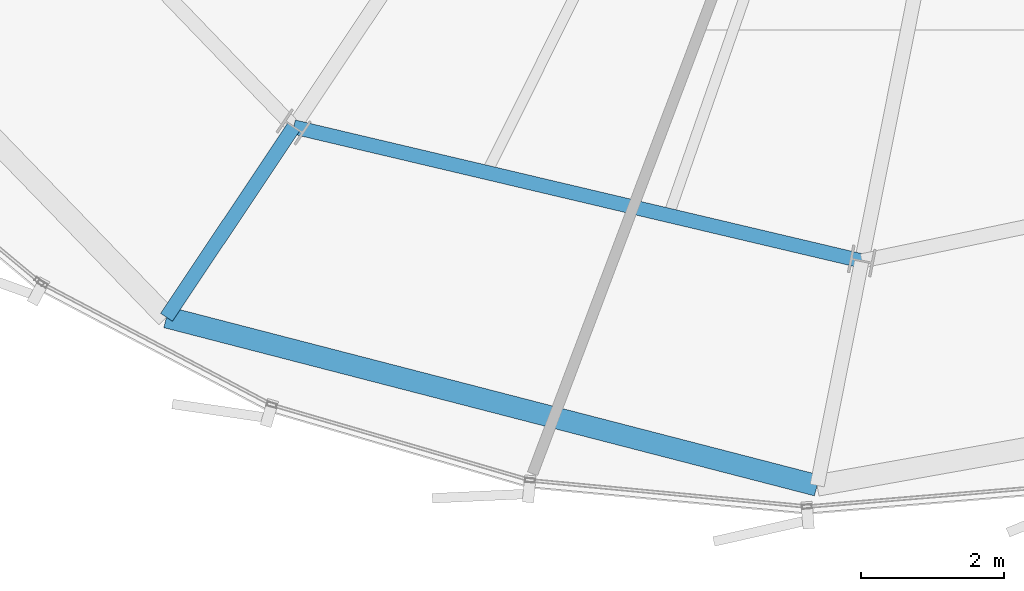
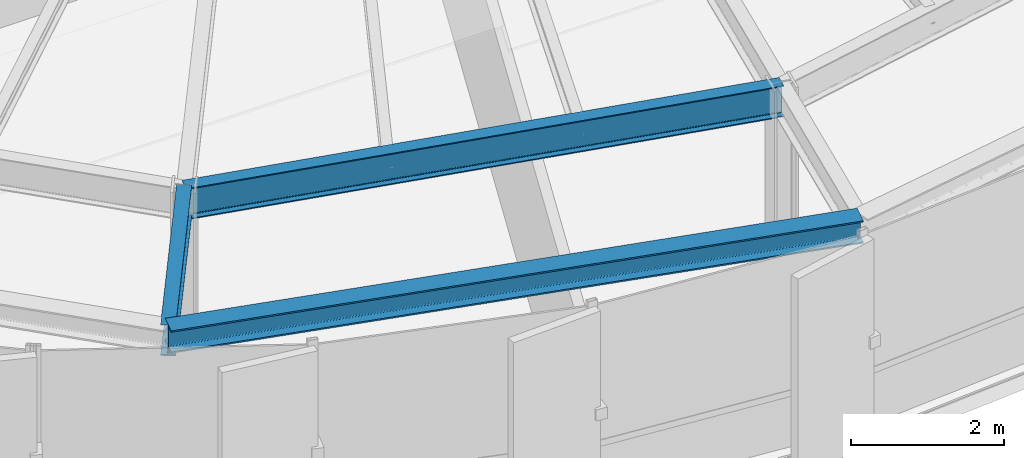
# One storey, part 3 of 33: 3 beams.
"""IFC4 building model written with IfcOpenShell, lengths in metres."""

from ifc_helpers import new_model, si_unit, direction, frame, origin, origin_2d, place, context, subcontext, project, spatial, i_section, extrude, source, transform, mapped, material, material_profile, profile_set, type_object, element, save


model = new_model("IFC4")

# Units and contexts
model_context = context("Model", 3, precision=1e-05, world=origin(), true_north=direction((0.0, 1.0)))
body_context = subcontext(model_context, "Body", "Model", "MODEL_VIEW")
ifc_project = project(units=[si_unit("LENGTHUNIT", "METRE"), si_unit("AREAUNIT", "SQUARE_METRE"), si_unit("VOLUMEUNIT", "CUBIC_METRE"), si_unit("PLANEANGLEUNIT", "RADIAN"), si_unit("MASSUNIT", "GRAM", prefix="KILO"), si_unit("THERMODYNAMICTEMPERATUREUNIT", "KELVIN")], contexts=[model_context])

# Site, building, storey
site_placement = place(None, origin())
site = spatial("IfcSite", under=ifc_project, at=site_placement, CompositionType="ELEMENT")
building_placement = place(site_placement, origin())
building = spatial("IfcBuilding", under=site, at=building_placement, Name="Kethvar Cultural Tower", CompositionType="ELEMENT")
storey_placement = place(building_placement, frame((0.0, 0.0, 211.39990234375)))
storey = spatial("IfcBuildingStorey", under=building, at=storey_placement, Name="L55", CompositionType="ELEMENT", Elevation=211.39990234375)

# Beams
ifc_material = material(Name="Steel S355J2", Category="steel")
ifc_material_profile_1 = material_profile(ifc_material, i_section(OverallWidth=0.199951171875, OverallDepth=0.5, WebThickness=0.01025390625, FlangeThickness=0.01611328125, FilletRadius=0.02099609375, at=origin_2d()), Name="Steel S355J2 — IPE500")
ifc_profile_set_1 = profile_set([ifc_material_profile_1], Name="Steel S355J2 — IPE500")
beam_type_1 = type_object("IfcBeamType", Name="BM-IPE500", PredefinedType="BEAM", material=ifc_profile_set_1)
shared_shape_1 = source(origin(), body_context, "Body", "SweptSolid", [
    extrude(i_section(OverallWidth=0.199951171875, OverallDepth=0.5, WebThickness=0.01025390625, FlangeThickness=0.01611328125, FilletRadius=0.02099609375, at=origin_2d()), origin(), (0.0, 0.0, 1.0), 3.199951171875),
])
beam_1_placement = place(storey_placement, frame((34.962646484375, 10.084228515625, 3.008056640625), z_axis=(-0.555580212716, -0.831462943996, 0.0), x_axis=(0.831462943996, -0.555580212716, 0.0)))
element("IfcBeam", 1, at=beam_1_placement, inside=storey, type_object=beam_type_1, Name="L55 Perimeter Cantilever Beam RC-11", PredefinedType="BEAM", context=body_context, shape_type="MappedRepresentation", body=[
    mapped(shared_shape_1, transform((0.0, 0.0, 0.0), scale=1.0)),
])
shared_shape_2 = source(origin(), body_context, "Body", "SweptSolid", [
    extrude(i_section(OverallWidth=0.199951171875, OverallDepth=0.5, WebThickness=0.01025390625, FlangeThickness=0.01611328125, FilletRadius=0.02099609375, at=origin_2d()), origin(), (0.0, 0.0, 1.0), 8.158935546875),
])
beam_2_placement = place(storey_placement, frame((34.962646484375, 10.084228515625, 3.008056640625), z_axis=(0.973284754953, -0.229601362748, 0.0), x_axis=(0.229601362748, 0.973284754953, 0.0)))
element("IfcBeam", 2, at=beam_2_placement, inside=storey, type_object=beam_type_1, Name="L55 Column Ring Tie Beam CR-11", PredefinedType="BEAM", context=body_context, shape_type="MappedRepresentation", body=[
    mapped(shared_shape_2, transform((0.0, 0.0, 0.0), scale=1.0)),
])
ifc_material_profile_2 = material_profile(ifc_material, i_section(OverallWidth=0.300048828125, OverallDepth=0.360107421875, WebThickness=0.012451171875, FlangeThickness=0.0224609375, FilletRadius=0.027099609375, at=origin_2d()), Name="Steel S355J2 — HEB360")
ifc_profile_set_2 = profile_set([ifc_material_profile_2], Name="Steel S355J2 — HEB360")
beam_type_2 = type_object("IfcBeamType", Name="BM-SP360", PredefinedType="SPANDREL", material=ifc_profile_set_2)
shared_shape_3 = source(origin(), body_context, "Body", "SweptSolid", [
    extrude(i_section(OverallWidth=0.300048828125, OverallDepth=0.360107421875, WebThickness=0.012451171875, FlangeThickness=0.0224609375, FilletRadius=0.027099609375, at=origin_2d()), origin(), (0.0, 0.0, 1.0), 9.3935546875),
])
beam_3_placement = place(storey_placement, frame((33.184814453125, 7.423583984375, 3.078125), z_axis=(0.968171347754, -0.250288316525, 0.0), x_axis=(0.250288316525, 0.968171347754, 0.0)))
element("IfcBeam", 3, at=beam_3_placement, inside=storey, type_object=beam_type_2, Name="L55 Perimeter Spandrel Beam SP-11", PredefinedType="SPANDREL", context=body_context, shape_type="MappedRepresentation", body=[
    mapped(shared_shape_3, transform((0.0, 0.0, 0.0), scale=1.0)),
])

save(model, "model.ifc")
